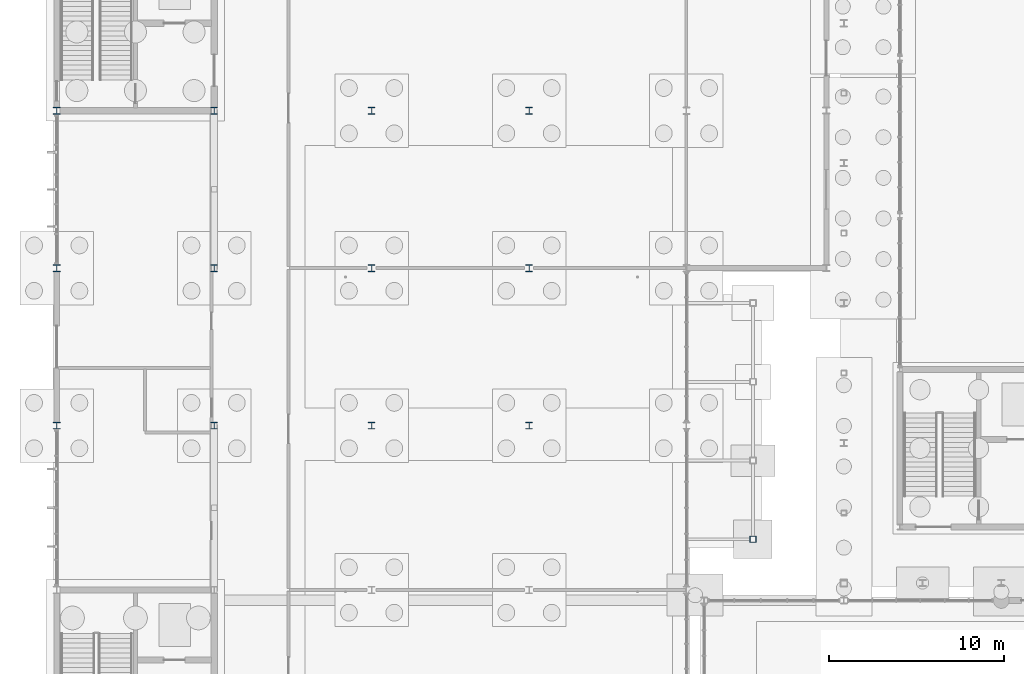
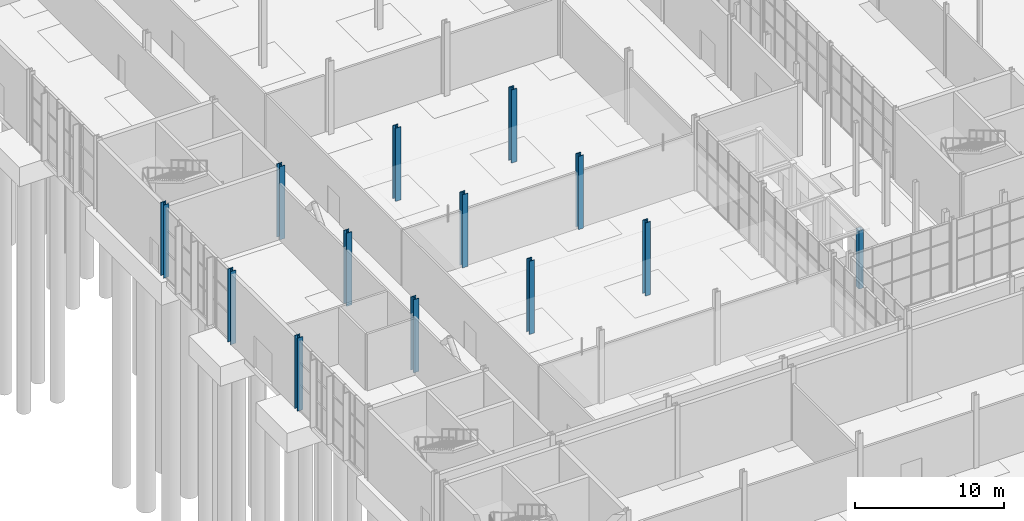
# One storey, part 17 of 131: 13 columns.
"""IFC4 building model written with IfcOpenShell, lengths in metres."""

from ifc_helpers import new_model, si_unit, direction, frame, origin, origin_2d, place, context, subcontext, project, spatial, hollow_rectangle, i_section, extrude, material, material_profile, profile_set, type_object, element, save


model = new_model("IFC4")

# Units and contexts
model_context = context("Model", 3, precision=1e-05, world=origin(), true_north=direction((0.0, 1.0)))
body_context = subcontext(model_context, "Body", "Model", "MODEL_VIEW")
ifc_project = project(units=[si_unit("LENGTHUNIT", "METRE"), si_unit("AREAUNIT", "SQUARE_METRE"), si_unit("VOLUMEUNIT", "CUBIC_METRE"), si_unit("PLANEANGLEUNIT", "RADIAN"), si_unit("MASSUNIT", "GRAM", prefix="KILO")], contexts=[model_context])

# Site, building, storey
site_placement = place(None, origin())
site = spatial("IfcSite", under=ifc_project, at=site_placement, CompositionType="ELEMENT")
building_placement = place(site_placement, origin())
building = spatial("IfcBuilding", under=site, at=building_placement, Name="Cazmaro Siding Exhibition Halls", CompositionType="ELEMENT")
storey_placement = place(building_placement, origin())
storey = spatial("IfcBuildingStorey", under=building, at=storey_placement, Name="L00", CompositionType="ELEMENT", Elevation=0.0)

# Columns
ifc_material_1 = material(Name="Steel ASTM A992 Grade 50", Category="steel")
ifc_material_profile_1 = material_profile(ifc_material_1, i_section(OverallWidth=0.406005859375, OverallDepth=0.416015625, WebThickness=0.030029296875, FlangeThickness=0.048095703125, at=origin_2d()), Name="W14X257")
ifc_profile_set_1 = profile_set([ifc_material_profile_1], Name="Steel ASTM A992 Grade 50")
column_type_1 = type_object("IfcColumnType", Name="C-01", PredefinedType="COLUMN", material=ifc_profile_set_1)
for number, where, z_axis, x_axis, name in (
    (1, (0.0, 73.0, 0.0), (0.0, 0.0, 1.0), (1.0, 0.0, 0.0), "Column C-01 COL-0891"),
    (2, (0.0, 82.0, 0.0), (0.0, 0.0, 1.0), (1.0, 0.0, 0.0), "Column C-01 COL-0896"),
    (3, (0.0, 91.0, 0.0), (0.0, 0.0, 1.0), (1.0, 0.0, 0.0), "Column C-01 COL-0901"),
    (4, (9.0, 73.0, 0.0), (0.0, 0.0, 1.0), (1.0, 0.0, 0.0), "Column C-01 COL-0931"),
    (5, (9.0, 82.0, 0.0), (0.0, 0.0, 1.0), (1.0, 0.0, 0.0), "Column C-01 COL-0936"),
    (6, (9.0, 91.0, 0.0), (0.0, 0.0, 1.0), (1.0, 0.0, 0.0), "Column C-01 COL-0941"),
    (7, (18.0, 73.0, 0.0), (0.0, 0.0, 1.0), (1.0, 0.0, 0.0), "Column C-01 COL-0971"),
    (8, (18.0, 82.0, 0.0), (0.0, 0.0, 1.0), (1.0, 0.0, 0.0), "Column C-01 COL-0976"),
    (9, (18.0, 91.0, 0.0), (0.0, 0.0, 1.0), (1.0, 0.0, 0.0), "Column C-01 COL-0981"),
    (10, (27.0, 73.0, 0.0), (0.0, 0.0, 1.0), (1.0, 0.0, 0.0), "Column C-01 COL-1011"),
    (11, (27.0, 82.0, 0.0), (0.0, 0.0, 1.0), (1.0, 0.0, 0.0), "Column C-01 COL-1016"),
    (12, (27.0, 91.0, 0.0), (0.0, 0.0, 1.0), (1.0, 0.0, 0.0), "Column C-01 COL-1021"),
):
    element("IfcColumn", number, at=place(storey_placement, frame(where, z_axis=z_axis, x_axis=x_axis)), inside=storey, type_object=column_type_1, Name=name, PredefinedType="COLUMN", context=body_context, shape_type="SweptSolid", body=[
        extrude(i_section(OverallWidth=0.406005859375, OverallDepth=0.416015625, WebThickness=0.030029296875, FlangeThickness=0.048095703125, at=origin_2d()), origin(), (0.0, 0.0, 1.0), 6.0),
    ])
ifc_material_2 = material(Name="Steel ASTM A500 Grade C", Category="steel")
ifc_material_profile_2 = material_profile(ifc_material_2, hollow_rectangle(XDim=0.35595703125, YDim=0.35595703125, WallThickness=0.014892578125, at=origin_2d()), Name="HSS14X14X5/8")
ifc_profile_set_2 = profile_set([ifc_material_profile_2], Name="Steel ASTM A500 Grade C")
column_type_2 = type_object("IfcColumnType", Name="C-10", PredefinedType="COLUMN", material=ifc_profile_set_2)
column_placement = place(storey_placement, frame((39.800048828125, 66.5, 0.0), z_axis=(0.0, 0.0, 1.0), x_axis=(1.0, 0.0, 0.0)))
element("IfcColumn", 13, at=column_placement, inside=storey, type_object=column_type_2, Name="Column C-10 COL-1149", PredefinedType="COLUMN", context=body_context, shape_type="SweptSolid", body=[
    extrude(hollow_rectangle(XDim=0.35595703125, YDim=0.35595703125, WallThickness=0.014892578125, at=origin_2d()), origin(), (0.0, 0.0, 1.0), 4.800048828125),
])

save(model, "model.ifc")
